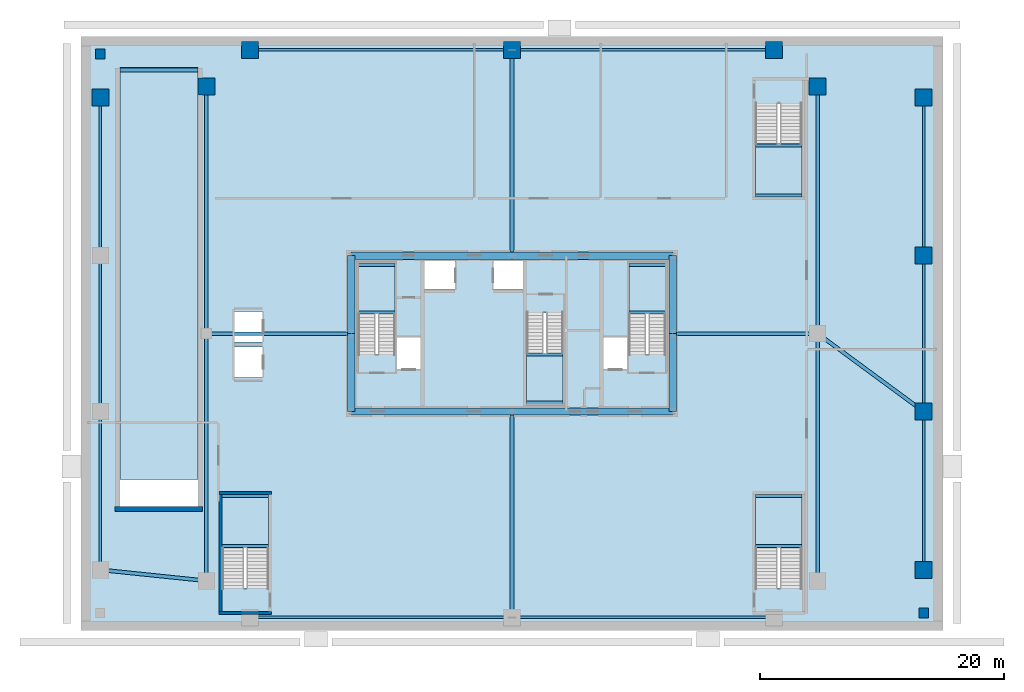
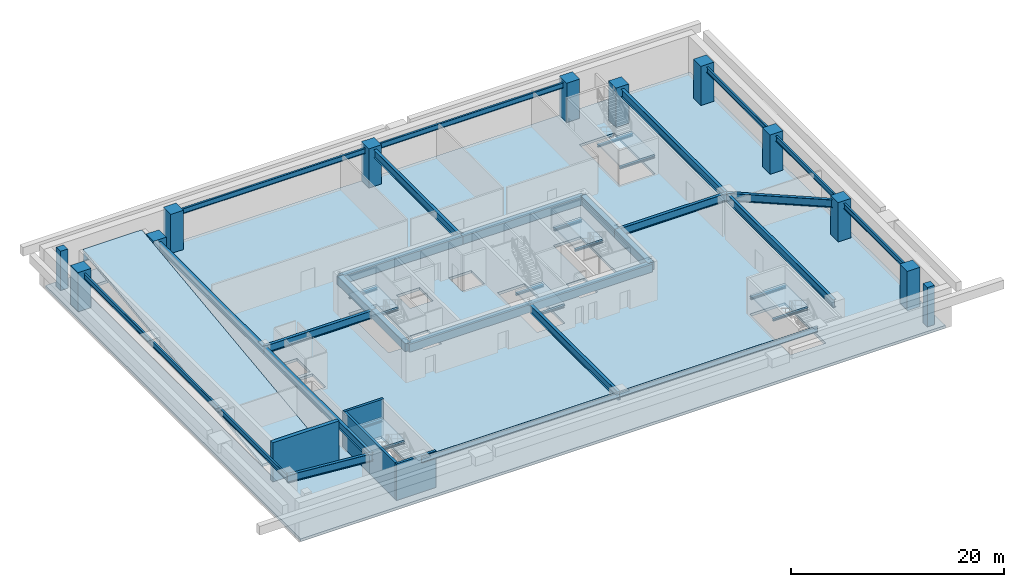
# One storey, part 3 of 9: 41 beams, 12 columns, 8 slabs, 4 walls, 6 elements without a shape of their own.
"""IFC4 building model written with IfcOpenShell, lengths in metres."""

from ifc_helpers import new_model, si_unit, direction, frame, frame_2d, origin, origin_2d, place, context, subcontext, project, spatial, polyline, rectangle, i_section, outline, extrude, source, transform, mapped, material, layer, layer_set, material_profile, profile_set, type_object, element, aggregate, save


model = new_model("IFC4")

# Units and contexts
model_context = context("Model", 3, precision=1e-05, world=origin(), true_north=direction((0.0, 1.0)))
body_context = subcontext(model_context, "Body", "Model", "MODEL_VIEW")
ifc_project = project(units=[si_unit("LENGTHUNIT", "METRE"), si_unit("AREAUNIT", "SQUARE_METRE"), si_unit("VOLUMEUNIT", "CUBIC_METRE"), si_unit("PLANEANGLEUNIT", "RADIAN"), si_unit("MASSUNIT", "GRAM", prefix="KILO"), si_unit("THERMODYNAMICTEMPERATUREUNIT", "KELVIN"), si_unit("POWERUNIT", "WATT")], contexts=[model_context])

# Site, building, storey
site_placement = place(None, origin())
site = spatial("IfcSite", under=ifc_project, at=site_placement, CompositionType="ELEMENT")
building_placement = place(site_placement, origin())
building = spatial("IfcBuilding", under=site, at=building_placement, Name="Yuzanri Waterfront Tower", CompositionType="ELEMENT")
storey_placement = place(building_placement, frame((0.0, 0.0, -4.5)))
storey = spatial("IfcBuildingStorey", under=building, at=storey_placement, Name="B01", CompositionType="ELEMENT", Elevation=-4.5)

# Columns
ifc_material_1 = material(Name="Concrete C50", Category="concrete")
ifc_material_profile_1 = material_profile(ifc_material_1, rectangle(XDim=0.800048828125, YDim=0.800048828125, at=origin_2d()), Name="RC 800x800")
ifc_profile_set_1 = profile_set([ifc_material_profile_1], Name="Concrete C50")
column_type_1 = type_object("IfcColumnType", Name="Upper Podium RC Column C50 800x800", PredefinedType="COLUMN", material=ifc_profile_set_1)
shared_shape_1 = source(origin(), body_context, "Body", "SweptSolid", [
    extrude(rectangle(XDim=0.800048828125, YDim=0.800048828125, at=origin_2d()), origin(), (0.0, 0.0, 1.0), 4.5),
])
for number, where, z_axis, x_axis, name in (
    (1, (70.800048828125, 2.85009765625, 0.0), (0.0, 0.0, 1.0), (1.0, 0.0, 0.0), "B01 Podium Corner Column CNPSE"),
    (2, (3.199951171875, 48.75, 0.0), (0.0, 0.0, 1.0), (1.0, 0.0, 0.0), "B01 Podium Corner Column CNPNW"),
):
    element("IfcColumn", number, at=place(storey_placement, frame(where, z_axis=z_axis, x_axis=x_axis)), inside=storey, type_object=column_type_1, Name=name, PredefinedType="COLUMN", context=body_context, shape_type="MappedRepresentation", body=[
        mapped(shared_shape_1, transform((0.0, 0.0, 0.0), scale=1.0)),
    ])
ifc_material_2 = material(Name="Concrete C60", Category="concrete")
ifc_material_profile_2 = material_profile(ifc_material_2, rectangle(XDim=1.39990234375, YDim=1.39990234375, at=origin_2d()), Name="RC 1400x1400")
ifc_profile_set_2 = profile_set([ifc_material_profile_2], Name="Concrete C60")
column_type_2 = type_object("IfcColumnType", Name="Podium RC Column C60 1400x1400", PredefinedType="COLUMN", material=ifc_profile_set_2)
shared_shape_2 = source(origin(), body_context, "Body", "SweptSolid", [
    extrude(rectangle(XDim=1.39990234375, YDim=1.39990234375, at=origin_2d()), origin(), (0.0, 0.0, 1.0), 4.5),
])
for number, where, z_axis, x_axis, name in (
    (3, (3.199951171875, 45.199951171875, 0.0), (0.0, 0.0, 1.0), (1.0, 0.0, 0.0), "B01 Podium Column PW4"),
    (4, (70.800048828125, 6.39990234375, 0.0), (0.0, 0.0, 1.0), (1.0, 0.0, 0.0), "B01 Podium Column PE1"),
    (5, (70.800048828125, 19.39990234375, 0.0), (0.0, 0.0, 1.0), (1.0, 0.0, 0.0), "B01 Podium Column PE2"),
    (6, (70.800048828125, 32.199951171875, 0.0), (0.0, 0.0, 1.0), (1.0, 0.0, 0.0), "B01 Podium Column PE3"),
    (7, (70.800048828125, 45.199951171875, 0.0), (0.0, 0.0, 1.0), (1.0, 0.0, 0.0), "B01 Podium Column PE4"),
    (8, (11.89990234375, 46.10009765625, 0.0), (0.0, 0.0, 1.0), (1.0, 0.0, 0.0), "B01 Podium Column PTW3"),
    (9, (62.10009765625, 46.10009765625, 0.0), (0.0, 0.0, 1.0), (1.0, 0.0, 0.0), "B01 Podium Column PTE3"),
    (10, (15.5, 49.10009765625, 0.0), (0.0, 0.0, 1.0), (1.0, 0.0, 0.0), "B01 Podium Column PTN1"),
    (11, (37.0, 49.10009765625, 0.0), (0.0, 0.0, 1.0), (1.0, 0.0, 0.0), "B01 Podium Column PTN2"),
    (12, (58.5, 49.10009765625, 0.0), (0.0, 0.0, 1.0), (1.0, 0.0, 0.0), "B01 Podium Column PTN3"),
):
    element("IfcColumn", number, at=place(storey_placement, frame(where, z_axis=z_axis, x_axis=x_axis)), inside=storey, type_object=column_type_2, Name=name, PredefinedType="COLUMN", context=body_context, shape_type="MappedRepresentation", body=[
        mapped(shared_shape_2, transform((0.0, 0.0, 0.0), scale=1.0)),
    ])

# Beams
ifc_material_3 = material(Name="Concrete C60", Category="concrete")
ifc_material_profile_3 = material_profile(ifc_material_3, rectangle(XDim=0.60009765625, YDim=0.89990234375, at=origin_2d()), Name="RC 600x900")
ifc_profile_set_3 = profile_set([ifc_material_profile_3], Name="Concrete C60")
beam_type_1 = type_object("IfcBeamType", Name="Core Coupling Lintel Concrete C60 600x900", PredefinedType="LINTEL", material=ifc_profile_set_3)
shared_shape_3 = source(origin(), body_context, "Body", "SweptSolid", [
    extrude(rectangle(XDim=0.60009765625, YDim=0.89990234375, at=origin_2d()), origin(), (0.0, 0.0, 1.0), 13.199951171875),
])
for number, where, z_axis, x_axis, name in (
    (13, (23.800048828125, 19.39990234375, 3.75), (1.0, 0.0, 0.0), (0.0, 1.0, 0.0), "B01 Core Tie Beam CS1"),
    (14, (37.0, 19.39990234375, 3.75), (1.0, 0.0, 0.0), (0.0, 1.0, 0.0), "B01 Core Tie Beam CS2"),
    (15, (23.800048828125, 32.199951171875, 3.75), (1.0, 0.0, 0.0), (0.0, 1.0, 0.0), "B01 Core Tie Beam CN1"),
    (16, (37.0, 32.199951171875, 3.75), (1.0, 0.0, 0.0), (0.0, 1.0, 0.0), "B01 Core Tie Beam CN2"),
):
    element("IfcBeam", number, at=place(storey_placement, frame(where, z_axis=z_axis, x_axis=x_axis)), inside=storey, type_object=beam_type_1, Name=name, PredefinedType="LINTEL", context=body_context, shape_type="MappedRepresentation", body=[
        mapped(shared_shape_3, transform((0.0, 0.0, 0.0), scale=1.0)),
    ])
shared_shape_4 = source(origin(), body_context, "Body", "SweptSolid", [
    extrude(rectangle(XDim=0.60009765625, YDim=0.89990234375, at=origin_2d()), origin(), (0.0, 0.0, 1.0), 6.400146484375),
])
for number, where, z_axis, x_axis, name in (
    (17, (23.800048828125, 19.39990234375, 3.75), (0.0, 1.0, 0.0), (-1.0, 0.0, 0.0), "B01 Core Tie Beam CW1"),
    (18, (50.199951171875, 19.39990234375, 3.75), (0.0, 1.0, 0.0), (-1.0, 0.0, 0.0), "B01 Core Tie Beam CE1"),
):
    element("IfcBeam", number, at=place(storey_placement, frame(where, z_axis=z_axis, x_axis=x_axis)), inside=storey, type_object=beam_type_1, Name=name, PredefinedType="LINTEL", context=body_context, shape_type="MappedRepresentation", body=[
        mapped(shared_shape_4, transform((0.0, 0.0, 0.0), scale=1.0)),
    ])
shared_shape_5 = source(origin(), body_context, "Body", "SweptSolid", [
    extrude(rectangle(XDim=0.60009765625, YDim=0.89990234375, at=origin_2d()), origin(), (0.0, 0.0, 1.0), 6.39990234375),
])
for number, where, z_axis, x_axis, name in (
    (19, (23.800048828125, 25.800048828125, 3.75), (0.0, 1.0, 0.0), (-1.0, 0.0, 0.0), "B01 Core Tie Beam CW2"),
    (20, (50.199951171875, 25.800048828125, 3.75), (0.0, 1.0, 0.0), (-1.0, 0.0, 0.0), "B01 Core Tie Beam CE2"),
):
    element("IfcBeam", number, at=place(storey_placement, frame(where, z_axis=z_axis, x_axis=x_axis)), inside=storey, type_object=beam_type_1, Name=name, PredefinedType="LINTEL", context=body_context, shape_type="MappedRepresentation", body=[
        mapped(shared_shape_5, transform((0.0, 0.0, 0.0), scale=1.0)),
    ])
ifc_material_4 = material(Name="Steel Q355B", Category="steel")
ifc_material_profile_4 = material_profile(ifc_material_4, i_section(OverallWidth=0.199951171875, OverallDepth=0.60009765625, WebThickness=0.010986328125, FlangeThickness=0.01708984375, at=origin_2d()), Name="HN 600x200x11x17")
ifc_profile_set_4 = profile_set([ifc_material_profile_4], Name="Steel Q355B")
beam_type_2 = type_object("IfcBeamType", Name="Perimeter Spandrel Q355B HN 600x200", PredefinedType="SPANDREL", material=ifc_profile_set_4)
shared_shape_6 = source(origin(), body_context, "Body", "SweptSolid", [
    extrude(i_section(OverallWidth=0.199951171875, OverallDepth=0.60009765625, WebThickness=0.010986328125, FlangeThickness=0.01708984375, at=origin_2d()), origin(), (0.0, 0.0, 1.0), 13.0),
])
for number, where, z_axis, x_axis, name in (
    (21, (3.199951171875, 6.39990234375, 3.89990234375), (0.0, 1.0, 0.0), (-1.0, 0.0, 0.0), "B01 West Podium Spandrel 1"),
    (22, (70.800048828125, 6.39990234375, 3.89990234375), (0.0, 1.0, 0.0), (-1.0, 0.0, 0.0), "B01 East Podium Spandrel 1"),
    (23, (3.199951171875, 32.199951171875, 3.89990234375), (0.0, 1.0, 0.0), (-1.0, 0.0, 0.0), "B01 West Podium Spandrel 3"),
    (24, (70.800048828125, 32.199951171875, 3.89990234375), (0.0, 1.0, 0.0), (-1.0, 0.0, 0.0), "B01 East Podium Spandrel 3"),
):
    element("IfcBeam", number, at=place(storey_placement, frame(where, z_axis=z_axis, x_axis=x_axis)), inside=storey, type_object=beam_type_2, Name=name, PredefinedType="SPANDREL", context=body_context, shape_type="MappedRepresentation", body=[
        mapped(shared_shape_6, transform((0.0, 0.0, 0.0), scale=1.0)),
    ])
shared_shape_7 = source(origin(), body_context, "Body", "SweptSolid", [
    extrude(i_section(OverallWidth=0.199951171875, OverallDepth=0.60009765625, WebThickness=0.010986328125, FlangeThickness=0.01708984375, at=origin_2d()), origin(), (0.0, 0.0, 1.0), 12.800048828125),
])
for number, where, z_axis, x_axis, name in (
    (25, (3.199951171875, 19.39990234375, 3.89990234375), (0.0, 1.0, 0.0), (-1.0, 0.0, 0.0), "B01 West Podium Spandrel 2"),
    (26, (70.800048828125, 19.39990234375, 3.89990234375), (0.0, 1.0, 0.0), (-1.0, 0.0, 0.0), "B01 East Podium Spandrel 2"),
):
    element("IfcBeam", number, at=place(storey_placement, frame(where, z_axis=z_axis, x_axis=x_axis)), inside=storey, type_object=beam_type_2, Name=name, PredefinedType="SPANDREL", context=body_context, shape_type="MappedRepresentation", body=[
        mapped(shared_shape_7, transform((0.0, 0.0, 0.0), scale=1.0)),
    ])
ifc_material_5 = material(Name="Steel Q355B", Category="steel")
ifc_material_profile_5 = material_profile(ifc_material_5, i_section(OverallWidth=0.300048828125, OverallDepth=0.89990234375, WebThickness=0.01611328125, FlangeThickness=0.028076171875, at=origin_2d()), Name="HN 900x300x16x28")
ifc_profile_set_5 = profile_set([ifc_material_profile_5], Name="Steel Q355B")
beam_type_3 = type_object("IfcBeamType", Name="Primary Podium Girder Q355B HN 900x300", PredefinedType="BEAM", material=ifc_profile_set_5)
shared_shape_8 = source(origin(), body_context, "Body", "SweptSolid", [
    extrude(i_section(OverallWidth=0.300048828125, OverallDepth=0.89990234375, WebThickness=0.01611328125, FlangeThickness=0.028076171875, at=origin_2d()), origin(), (0.0, 0.0, 1.0), 8.746337890625),
])
beam_1_placement = place(storey_placement, frame((3.199951171875, 6.39990234375, 3.75), z_axis=(0.994692877467, -0.102888675357, 0.0), x_axis=(0.102888675357, 0.994692877467, 0.0)))
element("IfcBeam", 27, at=beam_1_placement, inside=storey, type_object=beam_type_3, Name="B01 Basement West South Tie Girder", PredefinedType="BEAM", context=body_context, shape_type="MappedRepresentation", body=[
    mapped(shared_shape_8, transform((0.0, 0.0, 0.0), scale=1.0)),
])
shared_shape_9 = source(origin(), body_context, "Body", "SweptSolid", [
    extrude(i_section(OverallWidth=0.300048828125, OverallDepth=0.89990234375, WebThickness=0.01611328125, FlangeThickness=0.028076171875, at=origin_2d()), origin(), (0.0, 0.0, 1.0), 11.900146484375),
])
for number, where, z_axis, x_axis, name in (
    (28, (11.89990234375, 25.800048828125, 3.75), (1.0, 0.0, 0.0), (0.0, 1.0, 0.0), "B01 Podium West Girder 2"),
    (29, (50.199951171875, 25.800048828125, 3.75), (1.0, 0.0, 0.0), (0.0, 1.0, 0.0), "B01 Podium East Girder 1"),
):
    element("IfcBeam", number, at=place(storey_placement, frame(where, z_axis=z_axis, x_axis=x_axis)), inside=storey, type_object=beam_type_3, Name=name, PredefinedType="BEAM", context=body_context, shape_type="MappedRepresentation", body=[
        mapped(shared_shape_9, transform((0.0, 0.0, 0.0), scale=1.0)),
    ])
shared_shape_10 = source(origin(), body_context, "Body", "SweptSolid", [
    extrude(i_section(OverallWidth=0.300048828125, OverallDepth=0.89990234375, WebThickness=0.01611328125, FlangeThickness=0.028076171875, at=origin_2d()), origin(), (0.0, 0.0, 1.0), 20.300048828125),
])
for number, where, z_axis, x_axis, name in (
    (30, (11.89990234375, 5.5, 3.75), (0.0, 1.0, 0.0), (-1.0, 0.0, 0.0), "B01 Podium Spine Girder S"),
    (31, (11.89990234375, 25.800048828125, 3.75), (0.0, 1.0, 0.0), (-1.0, 0.0, 0.0), "B01 Podium Spine Girder N"),
    (32, (62.10009765625, 5.5, 3.75), (0.0, 1.0, 0.0), (-1.0, 0.0, 0.0), "B01 Podium East Spine S"),
    (33, (62.10009765625, 25.800048828125, 3.75), (0.0, 1.0, 0.0), (-1.0, 0.0, 0.0), "B01 Podium East Spine N"),
):
    element("IfcBeam", number, at=place(storey_placement, frame(where, z_axis=z_axis, x_axis=x_axis)), inside=storey, type_object=beam_type_3, Name=name, PredefinedType="BEAM", context=body_context, shape_type="MappedRepresentation", body=[
        mapped(shared_shape_10, transform((0.0, 0.0, 0.0), scale=1.0)),
    ])
shared_shape_11 = source(origin(), body_context, "Body", "SweptSolid", [
    extrude(i_section(OverallWidth=0.300048828125, OverallDepth=0.89990234375, WebThickness=0.01611328125, FlangeThickness=0.028076171875, at=origin_2d()), origin(), (0.0, 0.0, 1.0), 10.800537109375),
])
beam_2_placement = place(storey_placement, frame((62.10009765625, 25.800048828125, 3.75), z_axis=(0.805512964712, -0.592578149851, 0.0), x_axis=(0.592578149851, 0.805512964712, 0.0)))
element("IfcBeam", 34, at=beam_2_placement, inside=storey, type_object=beam_type_3, Name="B01 Podium East Girder 2", PredefinedType="BEAM", context=body_context, shape_type="MappedRepresentation", body=[
    mapped(shared_shape_11, transform((0.0, 0.0, 0.0), scale=1.0)),
])
shared_shape_12 = source(origin(), body_context, "Body", "SweptSolid", [
    extrude(i_section(OverallWidth=0.300048828125, OverallDepth=0.89990234375, WebThickness=0.01611328125, FlangeThickness=0.028076171875, at=origin_2d()), origin(), (0.0, 0.0, 1.0), 16.89990234375),
])
beam_3_placement = place(storey_placement, frame((37.0, 2.5, 3.75), z_axis=(0.0, 1.0, 0.0), x_axis=(-1.0, 0.0, 0.0)))
element("IfcBeam", 35, at=beam_3_placement, inside=storey, type_object=beam_type_3, Name="B01 South Core Link Girder", PredefinedType="BEAM", context=body_context, shape_type="MappedRepresentation", body=[
    mapped(shared_shape_12, transform((0.0, 0.0, 0.0), scale=1.0)),
])
shared_shape_13 = source(origin(), body_context, "Body", "SweptSolid", [
    extrude(i_section(OverallWidth=0.300048828125, OverallDepth=0.89990234375, WebThickness=0.01611328125, FlangeThickness=0.028076171875, at=origin_2d()), origin(), (0.0, 0.0, 1.0), 16.900146484375),
])
beam_4_placement = place(storey_placement, frame((37.0, 32.199951171875, 3.75), z_axis=(0.0, 1.0, 0.0), x_axis=(-1.0, 0.0, 0.0)))
element("IfcBeam", 36, at=beam_4_placement, inside=storey, type_object=beam_type_3, Name="B01 North Core Link Girder", PredefinedType="BEAM", context=body_context, shape_type="MappedRepresentation", body=[
    mapped(shared_shape_13, transform((0.0, 0.0, 0.0), scale=1.0)),
])
shared_shape_14 = source(origin(), body_context, "Body", "SweptSolid", [
    extrude(i_section(OverallWidth=0.199951171875, OverallDepth=0.60009765625, WebThickness=0.010986328125, FlangeThickness=0.01708984375, at=origin_2d()), origin(), (0.0, 0.0, 1.0), 21.5),
])
for number, where, z_axis, x_axis, name in (
    (37, (15.5, 2.5, 3.89990234375), (1.0, 0.0, 0.0), (0.0, 1.0, 0.0), "B01 South Spandrel 1"),
    (38, (37.0, 2.5, 3.89990234375), (1.0, 0.0, 0.0), (0.0, 1.0, 0.0), "B01 South Spandrel 2"),
    (39, (15.5, 49.10009765625, 3.89990234375), (1.0, 0.0, 0.0), (0.0, 1.0, 0.0), "B01 North Spandrel 1"),
    (40, (37.0, 49.10009765625, 3.89990234375), (1.0, 0.0, 0.0), (0.0, 1.0, 0.0), "B01 North Spandrel 2"),
):
    element("IfcBeam", number, at=place(storey_placement, frame(where, z_axis=z_axis, x_axis=x_axis)), inside=storey, type_object=beam_type_2, Name=name, PredefinedType="SPANDREL", context=body_context, shape_type="MappedRepresentation", body=[
        mapped(shared_shape_14, transform((0.0, 0.0, 0.0), scale=1.0)),
    ])
shared_shape_15 = source(origin(), body_context, "Body", "SweptSolid", [
    extrude(i_section(OverallWidth=0.300048828125, OverallDepth=0.89990234375, WebThickness=0.01611328125, FlangeThickness=0.028076171875, at=origin_2d()), origin(), (0.0, 0.0, 1.0), 6.39990234375),
])
beam_5_placement = place(storey_placement, frame((4.800048828125, 47.449951171875, 3.72509765625), z_axis=(1.0, 0.0, 0.0), x_axis=(0.0, 1.0, 0.0)))
element("IfcBeam", 41, at=beam_5_placement, inside=storey, type_object=beam_type_3, Name="B01 Car-Park Ramp Arrival Header Girder", PredefinedType="BEAM", context=body_context, shape_type="MappedRepresentation", body=[
    mapped(shared_shape_15, transform((0.0, 0.0, 0.0), scale=1.0)),
])
ifc_material_6 = material(Name="Steel Q355B", Category="steel")
ifc_material_profile_6 = material_profile(ifc_material_6, i_section(OverallWidth=0.25, OverallDepth=0.25, WebThickness=0.009033203125, FlangeThickness=0.013916015625, at=origin_2d()), Name="HW 250x250x9x14")
ifc_profile_set_6 = profile_set([ifc_material_profile_6], Name="Steel Q355B")
beam_type_4 = type_object("IfcBeamType", Name="Stair Landing Support Beam Q355B HW 250x250", PredefinedType="BEAM", material=ifc_profile_set_6)
shared_shape_16 = source(origin(), body_context, "Body", "SweptSolid", [
    extrude(i_section(OverallWidth=0.25, OverallDepth=0.25, WebThickness=0.009033203125, FlangeThickness=0.013916015625, at=origin_2d()), origin(), (0.0, 0.0, 1.0), 3.0),
])
for number, where, z_axis, x_axis, name in (
    (42, (24.39990234375, 27.530029296875, 1.925048828125), (1.0, 0.0, 0.0), (0.0, 1.0, 0.0), "B01 Stair Landing Support Beam ST-01-B01-L1-1"),
    (43, (24.39990234375, 31.449951171875, 1.925048828125), (1.0, 0.0, 0.0), (0.0, 1.0, 0.0), "B01 Stair Landing Support Beam ST-01-B01-L1-2"),
    (44, (46.60009765625, 27.530029296875, 1.925048828125), (1.0, 0.0, 0.0), (0.0, 1.0, 0.0), "B01 Stair Landing Support Beam ST-02-B01-L1-1"),
    (45, (46.60009765625, 31.449951171875, 1.925048828125), (1.0, 0.0, 0.0), (0.0, 1.0, 0.0), "B01 Stair Landing Support Beam ST-02-B01-L1-2"),
    (46, (38.199951171875, 20.14990234375, 1.925048828125), (1.0, 0.0, 0.0), (0.0, 1.0, 0.0), "B01 Stair Landing Support Beam ST-03-B01-L1-1"),
    (47, (38.199951171875, 24.070068359375, 1.925048828125), (1.0, 0.0, 0.0), (0.0, 1.0, 0.0), "B01 Stair Landing Support Beam ST-03-B01-L1-2"),
):
    element("IfcBeam", number, at=place(storey_placement, frame(where, z_axis=z_axis, x_axis=x_axis)), inside=storey, type_object=beam_type_4, Name=name, PredefinedType="BEAM", context=body_context, shape_type="MappedRepresentation", body=[
        mapped(shared_shape_16, transform((0.0, 0.0, 0.0), scale=1.0)),
    ])
shared_shape_17 = source(origin(), body_context, "Body", "SweptSolid", [
    extrude(i_section(OverallWidth=0.25, OverallDepth=0.25, WebThickness=0.009033203125, FlangeThickness=0.013916015625, at=origin_2d()), origin(), (0.0, 0.0, 1.0), 3.800048828125),
])
for number, where, z_axis, x_axis, name in (
    (48, (13.199951171875, 8.340087890625, 1.925048828125), (1.0, 0.0, 0.0), (0.0, 1.0, 0.0), "B01 Stair Landing Support Beam PST-01-B01-L1-1"),
    (49, (13.199951171875, 12.469970703125, 1.925048828125), (1.0, 0.0, 0.0), (0.0, 1.0, 0.0), "B01 Stair Landing Support Beam PST-01-B01-L1-2"),
    (50, (57.0, 8.340087890625, 1.925048828125), (1.0, 0.0, 0.0), (0.0, 1.0, 0.0), "B01 Stair Landing Support Beam PST-02-B01-L1-1"),
    (51, (57.0, 12.469970703125, 1.925048828125), (1.0, 0.0, 0.0), (0.0, 1.0, 0.0), "B01 Stair Landing Support Beam PST-02-B01-L1-2"),
    (52, (57.0, 37.1298828125, 1.925048828125), (1.0, 0.0, 0.0), (0.0, 1.0, 0.0), "B01 Stair Landing Support Beam PST-03-B01-L1-1"),
    (53, (57.0, 41.260009765625, 1.925048828125), (1.0, 0.0, 0.0), (0.0, 1.0, 0.0), "B01 Stair Landing Support Beam PST-03-B01-L1-2"),
):
    element("IfcBeam", number, at=place(storey_placement, frame(where, z_axis=z_axis, x_axis=x_axis)), inside=storey, type_object=beam_type_4, Name=name, PredefinedType="BEAM", context=body_context, shape_type="MappedRepresentation", body=[
        mapped(shared_shape_17, transform((0.0, 0.0, 0.0), scale=1.0)),
    ])

# Stair, slab
ifc_material_7 = material(Name="Concrete C40", Category="concrete")
stair_type_1 = type_object("IfcStairType", Name="Concrete C40 Core Dogleg Exit Stair", PredefinedType="HALF_TURN_STAIR", material=ifc_material_7)
stair_1_placement = place(storey_placement, origin())
stair_1 = element("IfcStair", 54, at=stair_1_placement, inside=storey, type_object=stair_type_1, Name="B01 Smoke-Proof Core Stair ST-01", PredefinedType="HALF_TURN_STAIR")
ifc_material_8 = material(Name="Concrete C40", Category="concrete")
ifc_layer_1 = layer(ifc_material_8, 0.179931640625)
ifc_layer_set_1 = layer_set([ifc_layer_1], Name="Concrete C40")
slab_type_1 = type_object("IfcSlabType", Name="Concrete C40 Stair Half-Landing Slab 180", PredefinedType="LANDING", material=ifc_layer_set_1)
slab_1_placement = place(storey_placement, frame((0.0, 0.0, 2.050048828125)))
slab_1 = element("IfcSlab", 55, at=slab_1_placement, type_object=slab_type_1, Name="ST-01 landing 1", PredefinedType="LANDING", context=body_context, shape_type="SweptSolid", body=[
    extrude(outline(polyline([(27.39990234375, 27.39990234375), (27.39990234375, 31.580078125), (24.39990234375, 31.580078125), (24.39990234375, 27.39990234375), (27.39990234375, 27.39990234375)])), origin(), (0.0, 0.0, 1.0), 0.199951171875),
])
aggregate(stair_1, [slab_1])

stair_2_placement = place(storey_placement, origin())
stair_2 = element("IfcStair", 56, at=stair_2_placement, inside=storey, type_object=stair_type_1, Name="B01 Smoke-Proof Core Stair ST-02", PredefinedType="HALF_TURN_STAIR")
slab_2_placement = place(storey_placement, frame((0.0, 0.0, 2.050048828125)))
slab_2 = element("IfcSlab", 57, at=slab_2_placement, type_object=slab_type_1, Name="ST-02 landing 1", PredefinedType="LANDING", context=body_context, shape_type="SweptSolid", body=[
    extrude(outline(polyline([(49.60009765625, 27.39990234375), (49.60009765625, 31.580078125), (46.60009765625, 31.580078125), (46.60009765625, 27.39990234375), (49.60009765625, 27.39990234375)])), origin(), (0.0, 0.0, 1.0), 0.199951171875),
])
aggregate(stair_2, [slab_2])

stair_3_placement = place(storey_placement, origin())
stair_3 = element("IfcStair", 58, at=stair_3_placement, inside=storey, type_object=stair_type_1, Name="B01 Smoke-Proof Core Stair ST-03", PredefinedType="HALF_TURN_STAIR")
slab_3_placement = place(storey_placement, frame((0.0, 0.0, 2.050048828125)))
slab_3 = element("IfcSlab", 59, at=slab_3_placement, type_object=slab_type_1, Name="ST-03 landing 1", PredefinedType="LANDING", context=body_context, shape_type="SweptSolid", body=[
    extrude(outline(polyline([(38.199951171875, 24.199951171875), (38.199951171875, 20.02001953125), (41.199951171875, 20.02001953125), (41.199951171875, 24.199951171875), (38.199951171875, 24.199951171875)])), origin(), (0.0, 0.0, 1.0), 0.199951171875),
])
aggregate(stair_3, [slab_3])

ifc_material_9 = material(Name="Concrete C40", Category="concrete")
stair_type_2 = type_object("IfcStairType", Name="Concrete C40 Podium Dogleg Exit Stair", PredefinedType="HALF_TURN_STAIR", material=ifc_material_9)
stair_4_placement = place(storey_placement, origin())
stair_4 = element("IfcStair", 60, at=stair_4_placement, inside=storey, type_object=stair_type_2, Name="B01 Podium Public Exit Stair PST-01", PredefinedType="HALF_TURN_STAIR")
slab_4_placement = place(storey_placement, frame((0.0, 0.0, 2.050048828125)))
slab_4 = element("IfcSlab", 61, at=slab_4_placement, type_object=slab_type_1, Name="PST-01 landing 1", PredefinedType="LANDING", context=body_context, shape_type="SweptSolid", body=[
    extrude(outline(polyline([(17.0, 8.2099609375), (17.0, 12.60009765625), (13.199951171875, 12.60009765625), (13.199951171875, 8.2099609375), (17.0, 8.2099609375)])), origin(), (0.0, 0.0, 1.0), 0.199951171875),
])
aggregate(stair_4, [slab_4])

stair_5_placement = place(storey_placement, origin())
stair_5 = element("IfcStair", 62, at=stair_5_placement, inside=storey, type_object=stair_type_2, Name="B01 Podium Public Exit Stair PST-02", PredefinedType="HALF_TURN_STAIR")
slab_5_placement = place(storey_placement, frame((0.0, 0.0, 2.050048828125)))
slab_5 = element("IfcSlab", 63, at=slab_5_placement, type_object=slab_type_1, Name="PST-02 landing 1", PredefinedType="LANDING", context=body_context, shape_type="SweptSolid", body=[
    extrude(outline(polyline([(60.800048828125, 8.2099609375), (60.800048828125, 12.60009765625), (57.0, 12.60009765625), (57.0, 8.2099609375), (60.800048828125, 8.2099609375)])), origin(), (0.0, 0.0, 1.0), 0.199951171875),
])
aggregate(stair_5, [slab_5])

stair_6_placement = place(storey_placement, origin())
stair_6 = element("IfcStair", 64, at=stair_6_placement, inside=storey, type_object=stair_type_2, Name="B01 Podium Public Exit Stair PST-03", PredefinedType="HALF_TURN_STAIR")
slab_6_placement = place(storey_placement, frame((0.0, 0.0, 2.050048828125)))
slab_6 = element("IfcSlab", 65, at=slab_6_placement, type_object=slab_type_1, Name="PST-03 landing 1", PredefinedType="LANDING", context=body_context, shape_type="SweptSolid", body=[
    extrude(outline(polyline([(57.0, 41.389892578125), (57.0, 37.0), (60.800048828125, 37.0), (60.800048828125, 41.389892578125), (57.0, 41.389892578125)])), origin(), (0.0, 0.0, 1.0), 0.199951171875),
])
aggregate(stair_6, [slab_6])

# Slabs
ifc_material_10 = material(Name="Concrete C45", Category="concrete")
ifc_layer_2 = layer(ifc_material_10, 0.300048828125)
ifc_layer_set_2 = layer_set([ifc_layer_2], Name="Concrete C45")
slab_type_2 = type_object("IfcSlabType", Name="Concrete C45 Car-Park Vehicle Ramp Structural Slab 300", PredefinedType="USERDEFINED", material=ifc_layer_set_2)
slab_7_placement = place(storey_placement, frame((4.800048828125, 13.800048828125, 0.302001953125), z_axis=(0.0, -0.123253934473, 0.992375164762), x_axis=(1.0, 0.0, 0.0)))
element("IfcSlab", 66, at=slab_7_placement, inside=storey, type_object=slab_type_2, Name="B01 Car-Park Two-Way Vehicle Ramp Structural Slab", ObjectType="VEHICLE RAMP", PredefinedType="USERDEFINED", context=body_context, shape_type="SweptSolid", body=[
    extrude(outline(polyline([(0.0, 0.0), (6.39990234375, 0.0), (6.39990234375, 34.05974880097034), (0.0, 34.05974880097034), (0.0, 0.0)])), origin(), (0.0, 0.0, -1.0), 0.300048828125),
])
ifc_material_11 = material(Name="Concrete C45", Category="concrete")
ifc_layer_3 = layer(ifc_material_11, 0.300048828125)
ifc_layer_set_3 = layer_set([ifc_layer_3], Name="Concrete C45")
slab_type_3 = type_object("IfcSlabType", Name="Concrete C45 Transfer and Sky-Lobby Structural Floor Slab 300", PredefinedType="FLOOR", material=ifc_layer_set_3)
slab_8_placement = place(storey_placement, frame((0.0, 0.0, -0.300048828125)))
element("IfcSlab", 67, at=slab_8_placement, inside=storey, type_object=slab_type_3, Name="B01 Main Structural Floor Slab", PredefinedType="FLOOR", context=body_context, shape_type="SweptSolid", body=[
    extrude(outline(polyline([(2.0, 1.800048828125), (72.0, 1.800048828125), (72.0, 49.800048828125), (2.0, 49.800048828125), (2.0, 1.800048828125)]), holes=[polyline([(27.39990234375, 24.10009765625), (27.39990234375, 31.580078125), (24.39990234375, 31.580078125), (24.39990234375, 24.10009765625), (27.39990234375, 24.10009765625)]), polyline([(49.60009765625, 24.10009765625), (49.60009765625, 31.580078125), (46.60009765625, 31.580078125), (46.60009765625, 24.10009765625), (49.60009765625, 24.10009765625)]), polyline([(38.199951171875, 27.5), (38.199951171875, 20.02001953125), (41.199951171875, 20.02001953125), (41.199951171875, 27.5), (38.199951171875, 27.5)]), polyline([(17.0, 4.909912109375), (17.0, 12.60009765625), (13.199951171875, 12.60009765625), (13.199951171875, 4.909912109375), (17.0, 4.909912109375)]), polyline([(60.800048828125, 4.909912109375), (60.800048828125, 12.60009765625), (57.0, 12.60009765625), (57.0, 4.909912109375), (60.800048828125, 4.909912109375)]), polyline([(57.0, 44.68994140625), (57.0, 37.0), (60.800048828125, 37.0), (60.800048828125, 44.68994140625), (57.0, 44.68994140625)]), polyline([(27.56005859375, 22.89990234375), (29.47998046875, 22.89990234375), (29.47998046875, 25.5), (27.56005859375, 25.5), (27.56005859375, 22.89990234375)]), polyline([(44.52001953125, 22.89990234375), (46.43994140625, 22.89990234375), (46.43994140625, 25.5), (44.52001953125, 25.5), (44.52001953125, 22.89990234375)]), polyline([(29.800048828125, 29.39990234375), (32.300048828125, 29.39990234375), (32.300048828125, 31.89990234375), (29.800048828125, 31.89990234375), (29.800048828125, 29.39990234375)]), polyline([(35.5, 29.39990234375), (37.89990234375, 29.39990234375), (37.89990234375, 31.89990234375), (35.5, 31.89990234375), (35.5, 29.39990234375)]), polyline([(14.199951171875, 22.199951171875), (16.5, 22.199951171875), (16.5, 24.699951171875), (14.199951171875, 24.699951171875), (14.199951171875, 22.199951171875)]), polyline([(14.199951171875, 25.10009765625), (16.5, 25.10009765625), (16.5, 27.60009765625), (14.199951171875, 27.60009765625), (14.199951171875, 25.10009765625)]), polyline([(4.800048828125, 11.60009765625), (11.199951171875, 11.60009765625), (11.199951171875, 47.60009765625), (4.800048828125, 47.60009765625), (4.800048828125, 11.60009765625)])]), origin(), (0.0, 0.0, 1.0), 0.300048828125),
])

# Walls
ifc_material_12 = material(Name="Concrete C50", Category="concrete")
ifc_layer_4 = layer(ifc_material_12, 0.39990234375)
ifc_layer_set_4 = layer_set([ifc_layer_4], Name="Concrete C50")
wall_type_1 = type_object("IfcWallType", Name="Concrete C50 Car-Park Ramp Enclosure Structural Wall 400", PredefinedType="SOLIDWALL", material=ifc_layer_set_4)
shared_shape_18 = source(origin(), body_context, "Body", "SweptSolid", [
    extrude(rectangle(XDim=7.2001953125, YDim=0.39990234375, at=frame_2d((3.60009765625, 0.0))), origin(), (0.0, 0.0, 1.0), 4.5),
])
wall_1_placement = place(storey_placement, frame((4.39990234375, 11.39990234375, 0.0), z_axis=(0.0, 0.0, 1.0), x_axis=(1.0, 0.0, 0.0)))
element("IfcWall", 68, at=wall_1_placement, inside=storey, type_object=wall_type_1, Name="B01 Ramp South Closure Wall", PredefinedType="SOLIDWALL", context=body_context, shape_type="MappedRepresentation", body=[
    mapped(shared_shape_18, transform((0.0, 0.0, 0.0), scale=1.0)),
])
ifc_material_13 = material(Name="Concrete C40", Category="concrete")
ifc_layer_5 = layer(ifc_material_13, 0.25)
ifc_layer_set_5 = layer_set([ifc_layer_5], Name="Concrete C40")
wall_type_2 = type_object("IfcWallType", Name="Smoke-Proof Stair and Lift Shaft Wall 250", PredefinedType="SOLIDWALL", material=ifc_layer_set_5)
shared_shape_19 = source(origin(), body_context, "Body", "SweptSolid", [
    extrude(rectangle(XDim=4.300048828125, YDim=0.25, at=frame_2d((2.14990234375, 0.0))), origin(), (0.0, 0.0, 1.0), 4.199951171875),
])
for number, where, z_axis, x_axis, name in (
    (69, (12.949951171875, 2.875, 0.0), (0.0, 0.0, 1.0), (1.0, 0.0, 0.0), "B01 PST-01 South Wall"),
    (70, (12.949951171875, 12.72509765625, 0.0), (0.0, 0.0, 1.0), (1.0, 0.0, 0.0), "B01 PST-01 North Wall"),
):
    element("IfcWall", number, at=place(storey_placement, frame(where, z_axis=z_axis, x_axis=x_axis)), inside=storey, type_object=wall_type_2, Name=name, PredefinedType="SOLIDWALL", context=body_context, shape_type="MappedRepresentation", body=[
        mapped(shared_shape_19, transform((0.0, 0.0, 0.0), scale=1.0)),
    ])
shared_shape_20 = source(origin(), body_context, "Body", "SweptSolid", [
    extrude(rectangle(XDim=9.60009765625, YDim=0.25, at=frame_2d((4.800048828125, 0.0))), origin(), (0.0, 0.0, 1.0), 4.199951171875),
])
wall_2_placement = place(storey_placement, frame((13.074951171875, 3.0, 0.0), z_axis=(0.0, 0.0, 1.0), x_axis=(0.0, 1.0, 0.0)))
element("IfcWall", 71, at=wall_2_placement, inside=storey, type_object=wall_type_2, Name="B01 Shaft Wall PSTW-B01-PST-01-W", PredefinedType="SOLIDWALL", context=body_context, shape_type="MappedRepresentation", body=[
    mapped(shared_shape_20, transform((0.0, 0.0, 0.0), scale=1.0)),
])

save(model, "model.ifc")
